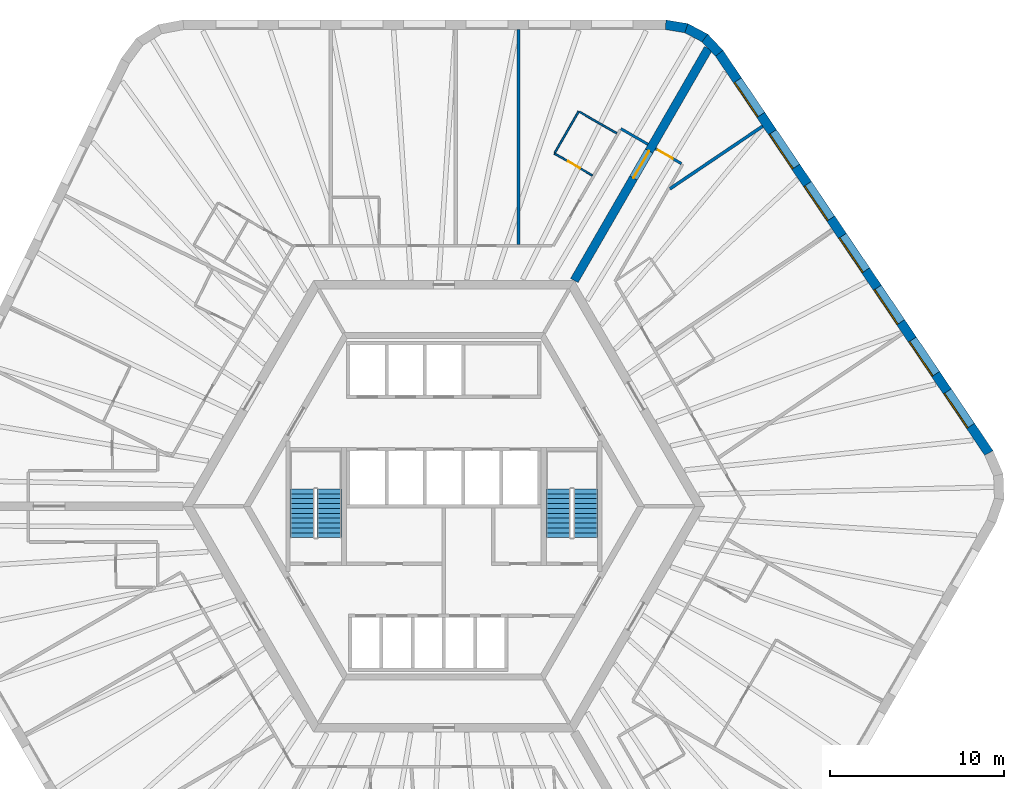
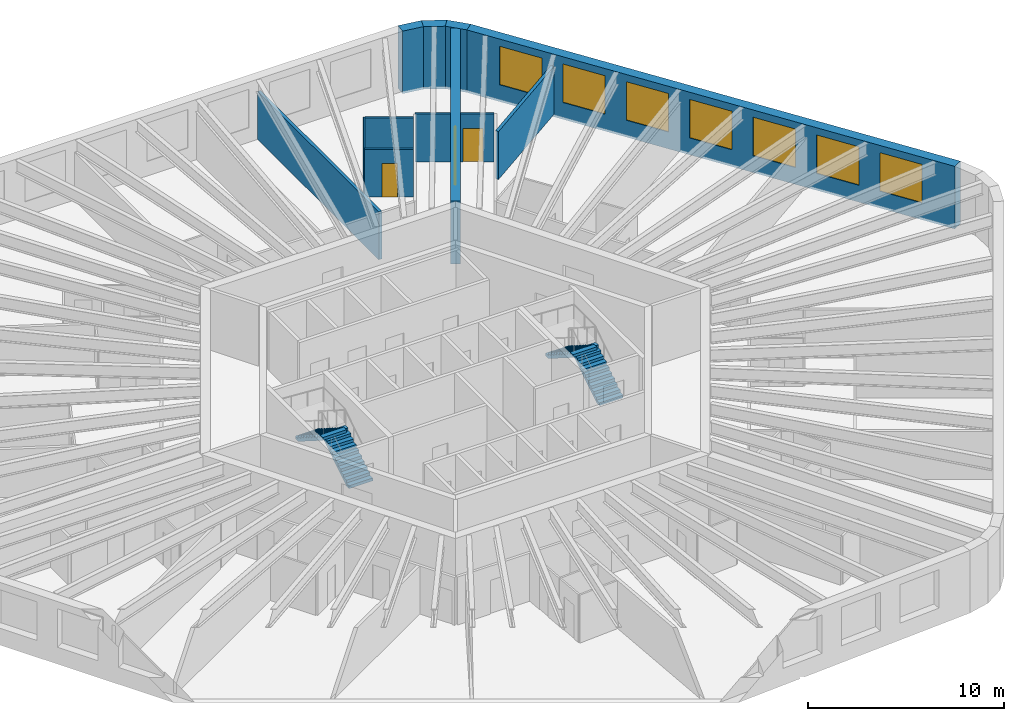
# One storey, part 9 of 10: 12 walls, 7 windows, 4 stair flights, 3 doors, 10 openings, 2 elements without a shape of their own.
"""IFC4 building model written with IfcOpenShell, lengths in metres."""

from ifc_helpers import new_model, si_unit, direction, frame, frame_2d, origin, place, context, subcontext, project, spatial, polyline, rectangle, outline, extrude, material, layer, layer_set, type_object, element, fill, aggregate, save


model = new_model("IFC4")

# Units and contexts
model_context = context("Model", 3, precision=1e-05, world=origin(), true_north=direction((0.0, 1.0)))
body_context = subcontext(model_context, "Body", "Model", "MODEL_VIEW")
ifc_project = project(units=[si_unit("LENGTHUNIT", "METRE"), si_unit("AREAUNIT", "SQUARE_METRE"), si_unit("VOLUMEUNIT", "CUBIC_METRE"), si_unit("PLANEANGLEUNIT", "RADIAN"), si_unit("MASSUNIT", "GRAM", prefix="KILO")], contexts=[model_context])

# Site, building, storey
site_placement = place(None, origin())
site = spatial("IfcSite", under=ifc_project, at=site_placement, CompositionType="ELEMENT")
building_placement = place(site_placement, origin())
building = spatial("IfcBuilding", under=site, at=building_placement, Name="Tarnside Tower", CompositionType="ELEMENT")
storey_placement = place(building_placement, frame((0.0, 0.0, 211.199951171875)))
storey = spatial("IfcBuildingStorey", under=building, at=storey_placement, Name="L50", CompositionType="ELEMENT", Elevation=211.199951171875)

# Wall, opening, door
ifc_material_1 = material(Name="Gypsum board partition on steel studs", Category="steel")
ifc_layer_1 = layer(ifc_material_1, 0.10009765625)
ifc_layer_set_1 = layer_set([ifc_layer_1], Name="Bathroom wall 100")
wall_type_1 = type_object("IfcWallType", Name="Bathroom wall 100", PredefinedType="PARTITIONING", material=ifc_layer_set_1)
wall_1_placement = place(storey_placement, frame((8.546142578125, 19.052490234375, 0.0), z_axis=(0.0, 0.0, 1.0), x_axis=(-0.866039067339, 0.499976333282, 0.0)))
wall_1 = element("IfcWall", 1, at=wall_1_placement, inside=storey, type_object=wall_type_1, Name="Bathroom wall 16051", PredefinedType="PARTITIONING", context=body_context, shape_type="SweptSolid", body=[
    extrude(rectangle(XDim=2.52490234375, YDim=0.10009765625, at=frame_2d((1.262451171875, 0.0))), origin(), (0.0, 0.0, 1.0), 2.98779296875),
])
opening_1_placement = place(wall_1_placement, frame((0.824951171875, 0.0, 0.0)))
opening_1 = element("IfcOpeningElement", 2, at=opening_1_placement, cuts=wall_1, Name="Opening D-B1", PredefinedType="OPENING", context=body_context, shape_type="SweptSolid", body=[
    extrude(rectangle(XDim=0.800048828125, YDim=2.10009765625, at=frame_2d((0.39990234375, 1.050048828125))), frame((0.0, 0.06005859375, 0.0), z_axis=(0.0, -1.0, 0.0), x_axis=(1.0, 0.0, 0.0)), (0.0, 0.0, 1.0), 0.1201171875),
])
ifc_material_2 = material(Name="Timber door leaf", Category="wood")
door_type_1 = type_object("IfcDoorType", Name="Bathroom door 800", OperationType="NOTDEFINED", PredefinedType="DOOR", material=ifc_material_2)
door_1_placement = place(opening_1_placement, origin())
door_1 = element("IfcDoor", 3, at=door_1_placement, inside=storey, type_object=door_type_1, Name="Bathroom door 16002", OperationType="SINGLE_SWING_RIGHT", OverallHeight=2.10009765625, OverallWidth=0.800048828125, PredefinedType="DOOR", context=body_context, shape_type="SweptSolid", body=[
    extrude(rectangle(XDim=0.800048828125, YDim=2.10009765625, at=frame_2d((0.39990234375, 1.050048828125))), frame((0.0, 0.02490234375, 0.0), z_axis=(0.0, -1.0, 0.0), x_axis=(1.0, 0.0, 0.0)), (0.0, 0.0, 1.0), 0.050048828125),
])
fill(opening_1, door_1)

# Walls
wall_2_placement = place(storey_placement, frame((6.384521484375, 20.358154296875, 0.0), z_axis=(0.0, 0.0, 1.0), x_axis=(0.499996545922, 0.866027397988, 0.0)))
element("IfcWall", 4, at=wall_2_placement, inside=storey, type_object=wall_type_1, Name="Bathroom wall 16052", PredefinedType="PARTITIONING", context=body_context, shape_type="SweptSolid", body=[
    extrude(rectangle(XDim=2.75, YDim=0.10009765625, at=frame_2d((1.375, 0.0))), origin(), (0.0, 0.0, 1.0), 2.98779296875),
])
wall_3_placement = place(storey_placement, frame((7.802734375, 22.71484375, 0.0), z_axis=(0.0, 0.0, 1.0), x_axis=(0.866006523861, -0.500032699561, 0.0)))
element("IfcWall", 5, at=wall_3_placement, inside=storey, type_object=wall_type_1, Name="Bathroom wall 16053", PredefinedType="PARTITIONING", context=body_context, shape_type="SweptSolid", body=[
    extrude(rectangle(XDim=2.474853515625, YDim=0.10009765625, at=frame_2d((1.2373046875, 0.0))), origin(), (0.0, 0.0, 1.0), 2.98779296875),
])

# Wall, opening, door
ifc_material_3 = material(Name="Concrete C70/85", Category="concrete")
ifc_layer_2 = layer(ifc_material_3, 0.5)
ifc_layer_set_2 = layer_set([ifc_layer_2], Name="Core wall Z2 500 C70/85")
wall_type_2 = type_object("IfcWallType", Name="Core wall Z2 500 C70/85", PredefinedType="SHEAR", material=ifc_layer_set_2)
wall_4_placement = place(storey_placement, frame((7.505615234375, 13.0, -0.14990234375), z_axis=(0.0, 0.0, 1.0), x_axis=(0.499988271576, 0.866032175087, 0.0)))
wall_4 = element("IfcWall", 6, at=wall_4_placement, inside=storey, type_object=wall_type_2, Name="L50 spine wall 1", PredefinedType="SHEAR", context=body_context, shape_type="SweptSolid", body=[
    extrude(rectangle(XDim=15.423583984375, YDim=0.5, at=frame_2d((7.7119140625, 0.0))), origin(), (0.0, 0.0, 1.0), 3.89990234375),
])
opening_2_placement = place(wall_4_placement, frame((6.811767578125, 0.0, 0.14990234375)))
opening_2 = element("IfcOpeningElement", 7, at=opening_2_placement, cuts=wall_4, Name="Opening CD-SPN", PredefinedType="OPENING", context=body_context, shape_type="SweptSolid", body=[
    extrude(rectangle(XDim=1.800048828125, YDim=2.39990234375, at=frame_2d((0.89990234375, 1.199951171875))), frame((0.0, 0.260009765625, 0.0), z_axis=(0.0, -1.0, 0.0), x_axis=(1.0, 0.0, 0.0)), (0.0, 0.0, 1.0), 0.52001953125),
])
ifc_material_4 = material(Name="Steel fire door", Category="steel")
door_type_2 = type_object("IfcDoorType", Name="Spine passage double door FD60 1800x2400", OperationType="NOTDEFINED", PredefinedType="DOOR", material=ifc_material_4)
door_2_placement = place(opening_2_placement, origin())
door_2 = element("IfcDoor", 8, at=door_2_placement, inside=storey, type_object=door_type_2, Name="L50 spine passage door 1", OperationType="DOUBLE_DOOR_SINGLE_SWING", OverallHeight=2.39990234375, OverallWidth=1.800048828125, PredefinedType="DOOR", context=body_context, shape_type="SweptSolid", body=[
    extrude(rectangle(XDim=1.800048828125, YDim=2.39990234375, at=frame_2d((0.89990234375, 1.199951171875))), frame((0.0, 0.02490234375, 0.0), z_axis=(0.0, -1.0, 0.0), x_axis=(1.0, 0.0, 0.0)), (0.0, 0.0, 1.0), 0.050048828125),
])
fill(opening_2, door_2)

# Wall
ifc_layer_3 = layer(ifc_material_1, 0.14990234375)
ifc_layer_set_3 = layer_set([ifc_layer_3], Name="Corridor wall 150 EI 60")
wall_type_3 = type_object("IfcWallType", Name="Corridor wall 150 EI 60", PredefinedType="PARTITIONING", material=ifc_layer_set_3)
wall_5_placement = place(storey_placement, frame((11.744873046875, 20.8427734375, 0.0), z_axis=(0.0, 0.0, 1.0), x_axis=(-0.865989075817, 0.500062916607, 0.0)))
element("IfcWall", 9, at=wall_5_placement, inside=storey, type_object=wall_type_3, Name="Corridor wall 16003", PredefinedType="PARTITIONING", context=body_context, shape_type="SweptSolid", body=[
    extrude(rectangle(XDim=1.800048828125, YDim=0.14990234375, at=frame_2d((0.89990234375, 0.0))), origin(), (0.0, 0.0, 1.0), 2.98779296875),
])

# Wall, opening, door
wall_6_placement = place(storey_placement, frame((13.671875, 19.73046875, 0.0), z_axis=(0.0, 0.0, 1.0), x_axis=(-0.866074815912, 0.499914405916, 0.0)))
wall_6 = element("IfcWall", 10, at=wall_6_placement, inside=storey, type_object=wall_type_3, Name="Corridor wall 16050", PredefinedType="PARTITIONING", context=body_context, shape_type="SweptSolid", body=[
    extrude(rectangle(XDim=1.724853515625, YDim=0.14990234375, at=frame_2d((0.8623046875, 0.0))), origin(), (0.0, 0.0, 1.0), 2.98779296875),
])
opening_3_placement = place(wall_6_placement, frame((0.574951171875, 0.0, 0.0)))
opening_3 = element("IfcOpeningElement", 11, at=opening_3_placement, cuts=wall_6, Name="Opening D-E1", PredefinedType="OPENING", context=body_context, shape_type="SweptSolid", body=[
    extrude(rectangle(XDim=1.0, YDim=2.10009765625, at=frame_2d((0.5, 1.050048828125))), frame((0.0, 0.0849609375, 0.0), z_axis=(0.0, -1.0, 0.0), x_axis=(1.0, 0.0, 0.0)), (0.0, 0.0, 1.0), 0.169921875),
])
door_type_3 = type_object("IfcDoorType", Name="Unit entrance door 1000 FD30S", OperationType="NOTDEFINED", PredefinedType="DOOR", material=ifc_material_2)
door_3_placement = place(opening_3_placement, origin())
door_3 = element("IfcDoor", 12, at=door_3_placement, inside=storey, type_object=door_type_3, Name="Unit door 16035", OperationType="SINGLE_SWING_LEFT", OverallHeight=2.10009765625, OverallWidth=1.0, PredefinedType="DOOR", context=body_context, shape_type="SweptSolid", body=[
    extrude(rectangle(XDim=1.0, YDim=2.10009765625, at=frame_2d((0.5, 1.050048828125))), frame((0.0, 0.02490234375, 0.0), z_axis=(0.0, -1.0, 0.0), x_axis=(1.0, 0.0, 0.0)), (0.0, 0.0, 1.0), 0.050048828125),
])
fill(opening_3, door_3)

# Walls
ifc_layer_4 = layer(ifc_material_1, 0.179931640625)
ifc_layer_set_4 = layer_set([ifc_layer_4], Name="Demising wall 180 EI 60")
wall_type_4 = type_object("IfcWallType", Name="Demising wall 180 EI 60", PredefinedType="PARTITIONING", material=ifc_layer_set_4)
wall_7_placement = place(storey_placement, frame((4.2822265625, 27.449951171875, 0.0), z_axis=(0.0, 0.0, 1.0), x_axis=(0.0, -1.0, 0.0)))
element("IfcWall", 13, at=wall_7_placement, inside=storey, type_object=wall_type_4, Name="Demising wall 16054", PredefinedType="PARTITIONING", context=body_context, shape_type="SweptSolid", body=[
    extrude(rectangle(XDim=12.375, YDim=0.179931640625, at=frame_2d((6.1875, 0.0))), origin(), (0.0, 0.0, 1.0), 2.98779296875),
])
wall_8_placement = place(storey_placement, frame((18.349609375, 21.88427734375, 0.0), z_axis=(0.0, 0.0, 1.0), x_axis=(-0.829047205772, -0.559178621374, 0.0)))
element("IfcWall", 14, at=wall_8_placement, inside=storey, type_object=wall_type_4, Name="Demising wall 16114", PredefinedType="PARTITIONING", context=body_context, shape_type="SweptSolid", body=[
    extrude(rectangle(XDim=6.442138671875, YDim=0.179931640625, at=frame_2d((3.22119140625, 0.0))), origin(), (0.0, 0.0, 1.0), 2.98779296875),
])

# Wall, openings, windows
ifc_material_5 = material(Name="Facing brick", Category="masonry")
ifc_layer_5 = layer(ifc_material_5, 0.10205078125)
ifc_material_6 = material(Name="Concrete C60/75 precast", Category="concrete")
ifc_layer_6 = layer(ifc_material_6, 0.347900390625)
ifc_material_7 = material(Name="Mineral wool insulation")
ifc_layer_7 = layer(ifc_material_7, 0.10009765625)
ifc_layer_set_5 = layer_set([ifc_layer_5, ifc_layer_6, ifc_layer_7], Name="Tube wall 550 brick faced")
wall_type_5 = type_object("IfcWallType", Name="Tube wall 550 brick faced", PredefinedType="SOLIDWALL", material=ifc_layer_set_5)
wall_9_placement = place(storey_placement, frame((31.37109375, 3.070556640625, -0.14990234375), z_axis=(0.0, 0.0, 1.0), x_axis=(-0.559189891278, 0.829039604297, 0.0)))
wall_9 = element("IfcWall", 15, at=wall_9_placement, inside=storey, type_object=wall_type_5, Name="Tube wall L50 F6 flush 20", PredefinedType="SOLIDWALL", context=body_context, shape_type="SweptSolid", body=[
    extrude(outline(polyline([(-0.025634765625, -0.27490234375), (27.780517578125, -0.27490234375), (27.735595703125, 0.27490234375), (0.025634765625, 0.27490234375), (-0.025634765625, -0.27490234375)])), origin(), (0.0, 0.0, 1.0), 3.89990234375),
])
opening_4_placement = place(wall_9_placement, frame((1.87890625, 0.0, 1.050048828125)))
opening_4 = element("IfcOpeningElement", 16, at=opening_4_placement, cuts=wall_9, Name="Opening WH", PredefinedType="OPENING", context=body_context, shape_type="SweptSolid", body=[
    extrude(rectangle(XDim=2.39990234375, YDim=2.39990234375, at=frame_2d((1.199951171875, 1.199951171875))), frame((0.0, 0.28515625, 0.0), z_axis=(0.0, -1.0, 0.0), x_axis=(1.0, 0.0, 0.0)), (0.0, 0.0, 1.0), 0.570068359375),
])
opening_5_placement = place(wall_9_placement, frame((5.47900390625, 0.0, 1.050048828125)))
opening_5 = element("IfcOpeningElement", 17, at=opening_5_placement, cuts=wall_9, Name="Opening WH", PredefinedType="OPENING", context=body_context, shape_type="SweptSolid", body=[
    extrude(rectangle(XDim=2.39990234375, YDim=2.39990234375, at=frame_2d((1.199951171875, 1.199951171875))), frame((0.0, 0.28515625, 0.0), z_axis=(0.0, -1.0, 0.0), x_axis=(1.0, 0.0, 0.0)), (0.0, 0.0, 1.0), 0.570068359375),
])
opening_6_placement = place(wall_9_placement, frame((9.078857421875, 0.0, 1.050048828125)))
opening_6 = element("IfcOpeningElement", 18, at=opening_6_placement, cuts=wall_9, Name="Opening WH", PredefinedType="OPENING", context=body_context, shape_type="SweptSolid", body=[
    extrude(rectangle(XDim=2.39990234375, YDim=2.39990234375, at=frame_2d((1.199951171875, 1.199951171875))), frame((0.0, 0.28515625, 0.0), z_axis=(0.0, -1.0, 0.0), x_axis=(1.0, 0.0, 0.0)), (0.0, 0.0, 1.0), 0.570068359375),
])
opening_7_placement = place(wall_9_placement, frame((12.678955078125, 0.0, 1.050048828125)))
opening_7 = element("IfcOpeningElement", 19, at=opening_7_placement, cuts=wall_9, Name="Opening WH", PredefinedType="OPENING", context=body_context, shape_type="SweptSolid", body=[
    extrude(rectangle(XDim=2.39990234375, YDim=2.39990234375, at=frame_2d((1.199951171875, 1.199951171875))), frame((0.0, 0.28515625, 0.0), z_axis=(0.0, -1.0, 0.0), x_axis=(1.0, 0.0, 0.0)), (0.0, 0.0, 1.0), 0.570068359375),
])
opening_8_placement = place(wall_9_placement, frame((16.27880859375, 0.0, 1.050048828125)))
opening_8 = element("IfcOpeningElement", 20, at=opening_8_placement, cuts=wall_9, Name="Opening WH", PredefinedType="OPENING", context=body_context, shape_type="SweptSolid", body=[
    extrude(rectangle(XDim=2.39990234375, YDim=2.39990234375, at=frame_2d((1.199951171875, 1.199951171875))), frame((0.0, 0.28515625, 0.0), z_axis=(0.0, -1.0, 0.0), x_axis=(1.0, 0.0, 0.0)), (0.0, 0.0, 1.0), 0.570068359375),
])
opening_9_placement = place(wall_9_placement, frame((19.87890625, 0.0, 1.050048828125)))
opening_9 = element("IfcOpeningElement", 21, at=opening_9_placement, cuts=wall_9, Name="Opening WH", PredefinedType="OPENING", context=body_context, shape_type="SweptSolid", body=[
    extrude(rectangle(XDim=2.39990234375, YDim=2.39990234375, at=frame_2d((1.199951171875, 1.199951171875))), frame((0.0, 0.28515625, 0.0), z_axis=(0.0, -1.0, 0.0), x_axis=(1.0, 0.0, 0.0)), (0.0, 0.0, 1.0), 0.570068359375),
])
opening_10_placement = place(wall_9_placement, frame((23.47900390625, 0.0, 1.050048828125)))
opening_10 = element("IfcOpeningElement", 22, at=opening_10_placement, cuts=wall_9, Name="Opening WH", PredefinedType="OPENING", context=body_context, shape_type="SweptSolid", body=[
    extrude(rectangle(XDim=2.39990234375, YDim=2.39990234375, at=frame_2d((1.199951171875, 1.199951171875))), frame((0.0, 0.28515625, 0.0), z_axis=(0.0, -1.0, 0.0), x_axis=(1.0, 0.0, 0.0)), (0.0, 0.0, 1.0), 0.570068359375),
])
ifc_material_8 = material(Name="Aluminium-framed double glazing", Category="aluminium")
window_type = type_object("IfcWindowType", Name="Hotel window 2400 x 2400", PartitioningType="DOUBLE_PANEL_VERTICAL", PredefinedType="WINDOW", material=ifc_material_8)
window_1_placement = place(opening_4_placement, frame((0.0, 0.205078125, 0.0)))
window_1 = element("IfcWindow", 23, at=window_1_placement, inside=storey, type_object=window_type, Name="E.WN.L50.F6.00", OverallHeight=2.39990234375, OverallWidth=2.39990234375, PartitioningType="DOUBLE_PANEL_VERTICAL", PredefinedType="WINDOW", context=body_context, shape_type="SweptSolid", body=[
    extrude(rectangle(XDim=2.39990234375, YDim=2.39990234375, at=frame_2d((1.199951171875, 1.199951171875))), frame((0.0, 0.030029296875, 0.0), z_axis=(0.0, -1.0, 0.0), x_axis=(1.0, 0.0, 0.0)), (0.0, 0.0, 1.0), 0.06005859375),
])
fill(opening_4, window_1)
window_2_placement = place(opening_5_placement, frame((0.0, 0.205078125, 0.0)))
window_2 = element("IfcWindow", 24, at=window_2_placement, inside=storey, type_object=window_type, Name="E.WN.L50.F6.01", OverallHeight=2.39990234375, OverallWidth=2.39990234375, PartitioningType="DOUBLE_PANEL_VERTICAL", PredefinedType="WINDOW", context=body_context, shape_type="SweptSolid", body=[
    extrude(rectangle(XDim=2.39990234375, YDim=2.39990234375, at=frame_2d((1.199951171875, 1.199951171875))), frame((0.0, 0.030029296875, 0.0), z_axis=(0.0, -1.0, 0.0), x_axis=(1.0, 0.0, 0.0)), (0.0, 0.0, 1.0), 0.06005859375),
])
fill(opening_5, window_2)
window_3_placement = place(opening_6_placement, frame((0.0, 0.205078125, 0.0)))
window_3 = element("IfcWindow", 25, at=window_3_placement, inside=storey, type_object=window_type, Name="E.WN.L50.F6.02", OverallHeight=2.39990234375, OverallWidth=2.39990234375, PartitioningType="DOUBLE_PANEL_VERTICAL", PredefinedType="WINDOW", context=body_context, shape_type="SweptSolid", body=[
    extrude(rectangle(XDim=2.39990234375, YDim=2.39990234375, at=frame_2d((1.199951171875, 1.199951171875))), frame((0.0, 0.030029296875, 0.0), z_axis=(0.0, -1.0, 0.0), x_axis=(1.0, 0.0, 0.0)), (0.0, 0.0, 1.0), 0.06005859375),
])
fill(opening_6, window_3)
window_4_placement = place(opening_7_placement, frame((0.0, 0.205078125, 0.0)))
window_4 = element("IfcWindow", 26, at=window_4_placement, inside=storey, type_object=window_type, Name="E.WN.L50.F6.03", OverallHeight=2.39990234375, OverallWidth=2.39990234375, PartitioningType="DOUBLE_PANEL_VERTICAL", PredefinedType="WINDOW", context=body_context, shape_type="SweptSolid", body=[
    extrude(rectangle(XDim=2.39990234375, YDim=2.39990234375, at=frame_2d((1.199951171875, 1.199951171875))), frame((0.0, 0.030029296875, 0.0), z_axis=(0.0, -1.0, 0.0), x_axis=(1.0, 0.0, 0.0)), (0.0, 0.0, 1.0), 0.06005859375),
])
fill(opening_7, window_4)
window_5_placement = place(opening_8_placement, frame((0.0, 0.205078125, 0.0)))
window_5 = element("IfcWindow", 27, at=window_5_placement, inside=storey, type_object=window_type, Name="E.WN.L50.F6.04", OverallHeight=2.39990234375, OverallWidth=2.39990234375, PartitioningType="DOUBLE_PANEL_VERTICAL", PredefinedType="WINDOW", context=body_context, shape_type="SweptSolid", body=[
    extrude(rectangle(XDim=2.39990234375, YDim=2.39990234375, at=frame_2d((1.199951171875, 1.199951171875))), frame((0.0, 0.030029296875, 0.0), z_axis=(0.0, -1.0, 0.0), x_axis=(1.0, 0.0, 0.0)), (0.0, 0.0, 1.0), 0.06005859375),
])
fill(opening_8, window_5)
window_6_placement = place(opening_9_placement, frame((0.0, 0.205078125, 0.0)))
window_6 = element("IfcWindow", 28, at=window_6_placement, inside=storey, type_object=window_type, Name="E.WN.L50.F6.05", OverallHeight=2.39990234375, OverallWidth=2.39990234375, PartitioningType="DOUBLE_PANEL_VERTICAL", PredefinedType="WINDOW", context=body_context, shape_type="SweptSolid", body=[
    extrude(rectangle(XDim=2.39990234375, YDim=2.39990234375, at=frame_2d((1.199951171875, 1.199951171875))), frame((0.0, 0.030029296875, 0.0), z_axis=(0.0, -1.0, 0.0), x_axis=(1.0, 0.0, 0.0)), (0.0, 0.0, 1.0), 0.06005859375),
])
fill(opening_9, window_6)
window_7_placement = place(opening_10_placement, frame((0.0, 0.205078125, 0.0)))
window_7 = element("IfcWindow", 29, at=window_7_placement, inside=storey, type_object=window_type, Name="E.WN.L50.F6.06", OverallHeight=2.39990234375, OverallWidth=2.39990234375, PartitioningType="DOUBLE_PANEL_VERTICAL", PredefinedType="WINDOW", context=body_context, shape_type="SweptSolid", body=[
    extrude(rectangle(XDim=2.39990234375, YDim=2.39990234375, at=frame_2d((1.199951171875, 1.199951171875))), frame((0.0, 0.030029296875, 0.0), z_axis=(0.0, -1.0, 0.0), x_axis=(1.0, 0.0, 0.0)), (0.0, 0.0, 1.0), 0.06005859375),
])
fill(opening_10, window_7)

# Walls
wall_10_placement = place(storey_placement, frame((15.84912109375, 26.0830078125, -0.14990234375), z_axis=(0.0, 0.0, 1.0), x_axis=(-0.686196220404, 0.727416488061, 0.0)))
element("IfcWall", 30, at=wall_10_placement, inside=storey, type_object=wall_type_5, Name="Tube wall L50 F6 chord 21", PredefinedType="SOLIDWALL", context=body_context, shape_type="SweptSolid", body=[
    extrude(outline(polyline([(-0.0224609375, -0.27490234375), (1.25341796875, -0.27490234375), (1.1630859375, 0.27490234375), (0.0224609375, 0.27490234375), (-0.0224609375, -0.27490234375)])), origin(), (0.0, 0.0, 1.0), 3.89990234375),
])
wall_11_placement = place(storey_placement, frame((15.02001953125, 26.9619140625, -0.14990234375), z_axis=(0.0, 0.0, 1.0), x_axis=(-0.882950818639, 0.469465495926, 0.0)))
element("IfcWall", 31, at=wall_11_placement, inside=storey, type_object=wall_type_5, Name="Tube wall L50 F6 chord 22", PredefinedType="SOLIDWALL", context=body_context, shape_type="SweptSolid", body=[
    extrude(outline(polyline([(-0.045166015625, -0.27490234375), (1.253173828125, -0.27490234375), (1.162841796875, 0.27490234375), (0.045166015625, 0.27490234375), (-0.045166015625, -0.27490234375)])), origin(), (0.0, 0.0, 1.0), 3.89990234375),
])
wall_12_placement = place(storey_placement, frame((13.953369140625, 27.529052734375, -0.14990234375), z_axis=(0.0, 0.0, 1.0), x_axis=(-0.986751945211, 0.162236243244, 0.0)))
element("IfcWall", 32, at=wall_12_placement, inside=storey, type_object=wall_type_5, Name="Tube wall L50 F6 chord 23", PredefinedType="SOLIDWALL", context=body_context, shape_type="SweptSolid", body=[
    extrude(outline(polyline([(-0.045166015625, -0.27490234375), (1.23095703125, -0.27490234375), (1.18603515625, 0.27490234375), (0.045166015625, 0.27490234375), (-0.045166015625, -0.27490234375)])), origin(), (0.0, 0.0, 1.0), 3.89990234375),
])

# Stair, stair flights
ifc_material_9 = material(Name="Concrete C40/50", Category="concrete")
stair_type = type_object("IfcStairType", Name="Exit stair 1400 clear", PredefinedType="HALF_TURN_STAIR", material=ifc_material_9)
stair_1_placement = place(storey_placement, origin())
stair_1 = element("IfcStair", 33, at=stair_1_placement, inside=storey, type_object=stair_type, Name="L50 Exit stair 1", PredefinedType="HALF_TURN_STAIR")
stair_flight_type = type_object("IfcStairFlightType", Name="Exit stair flight 1400", PredefinedType="STRAIGHT", material=ifc_material_9)
stair_flight_1_placement = place(storey_placement, frame((8.14990234375, -1.800048828125, 0.0), z_axis=(0.0, 0.0, 1.0), x_axis=(0.0, 1.0, 0.0)))
stair_flight_1 = element("IfcStairFlight", 34, at=stair_flight_1_placement, type_object=stair_flight_type, Name="ST1 flight 1", NumberOfRisers=11, NumberOfTreads=10, PredefinedType="STRAIGHT", RiserHeight=0.177272727, TreadLength=0.28, context=body_context, shape_type="SweptSolid", body=[
    extrude(outline(polyline([(0.0, 0.0), (0.0, 0.17724609375), (0.280029296875, 0.17724609375), (0.280029296875, 0.3544921875), (0.56005859375, 0.3544921875), (0.56005859375, 0.53173828125), (0.840087890625, 0.53173828125), (0.840087890625, 0.708984375), (1.1201171875, 0.708984375), (1.1201171875, 0.886474609375), (1.39990234375, 0.886474609375), (1.39990234375, 1.063720703125), (1.679931640625, 1.063720703125), (1.679931640625, 1.240966796875), (1.9599609375, 1.240966796875), (1.9599609375, 1.418212890625), (2.239990234375, 1.418212890625), (2.239990234375, 1.595458984375), (2.52001953125, 1.595458984375), (2.52001953125, 1.772705078125), (2.800048828125, 1.772705078125), (2.800048828125, 1.949951171875), (2.800048828125, 1.59521484375), (0.2802734375, 0.0), (0.0, 0.0)])), frame((0.0, 0.699951171875, 0.0), z_axis=(0.0, -1.0, 0.0), x_axis=(1.0, 0.0, 0.0)), (0.0, 0.0, 1.0), 1.39990234375),
])
stair_flight_2_placement = place(storey_placement, frame((6.60009765625, 1.0, 1.949951171875), z_axis=(0.0, 0.0, 1.0), x_axis=(0.0, -1.0, 0.0)))
stair_flight_2 = element("IfcStairFlight", 35, at=stair_flight_2_placement, type_object=stair_flight_type, Name="ST1 flight 2", NumberOfRisers=11, NumberOfTreads=10, PredefinedType="STRAIGHT", RiserHeight=0.177272727, TreadLength=0.28, context=body_context, shape_type="SweptSolid", body=[
    extrude(outline(polyline([(0.0, 0.0), (0.0, 0.17724609375), (0.280029296875, 0.17724609375), (0.280029296875, 0.3544921875), (0.56005859375, 0.3544921875), (0.56005859375, 0.53173828125), (0.840087890625, 0.53173828125), (0.840087890625, 0.708984375), (1.1201171875, 0.708984375), (1.1201171875, 0.886474609375), (1.39990234375, 0.886474609375), (1.39990234375, 1.063720703125), (1.679931640625, 1.063720703125), (1.679931640625, 1.240966796875), (1.9599609375, 1.240966796875), (1.9599609375, 1.418212890625), (2.239990234375, 1.418212890625), (2.239990234375, 1.595458984375), (2.52001953125, 1.595458984375), (2.52001953125, 1.772705078125), (2.800048828125, 1.772705078125), (2.800048828125, 1.949951171875), (2.800048828125, 1.59521484375), (0.2802734375, 0.0), (0.0, 0.0)])), frame((0.0, 0.699951171875, 0.0), z_axis=(0.0, -1.0, 0.0), x_axis=(1.0, 0.0, 0.0)), (0.0, 0.0, 1.0), 1.39990234375),
])
aggregate(stair_1, [stair_flight_1, stair_flight_2])

stair_2_placement = place(storey_placement, origin())
stair_2 = element("IfcStair", 36, at=stair_2_placement, inside=storey, type_object=stair_type, Name="L50 Exit stair 2", PredefinedType="HALF_TURN_STAIR")
stair_flight_3_placement = place(storey_placement, frame((-6.60009765625, -1.800048828125, 0.0), z_axis=(0.0, 0.0, 1.0), x_axis=(0.0, 1.0, 0.0)))
stair_flight_3 = element("IfcStairFlight", 37, at=stair_flight_3_placement, type_object=stair_flight_type, Name="ST2 flight 1", NumberOfRisers=11, NumberOfTreads=10, PredefinedType="STRAIGHT", RiserHeight=0.177272727, TreadLength=0.28, context=body_context, shape_type="SweptSolid", body=[
    extrude(outline(polyline([(0.0, 0.0), (0.0, 0.17724609375), (0.280029296875, 0.17724609375), (0.280029296875, 0.3544921875), (0.56005859375, 0.3544921875), (0.56005859375, 0.53173828125), (0.840087890625, 0.53173828125), (0.840087890625, 0.708984375), (1.1201171875, 0.708984375), (1.1201171875, 0.886474609375), (1.39990234375, 0.886474609375), (1.39990234375, 1.063720703125), (1.679931640625, 1.063720703125), (1.679931640625, 1.240966796875), (1.9599609375, 1.240966796875), (1.9599609375, 1.418212890625), (2.239990234375, 1.418212890625), (2.239990234375, 1.595458984375), (2.52001953125, 1.595458984375), (2.52001953125, 1.772705078125), (2.800048828125, 1.772705078125), (2.800048828125, 1.949951171875), (2.800048828125, 1.59521484375), (0.2802734375, 0.0), (0.0, 0.0)])), frame((0.0, 0.699951171875, 0.0), z_axis=(0.0, -1.0, 0.0), x_axis=(1.0, 0.0, 0.0)), (0.0, 0.0, 1.0), 1.39990234375),
])
stair_flight_4_placement = place(storey_placement, frame((-8.14990234375, 1.0, 1.949951171875), z_axis=(0.0, 0.0, 1.0), x_axis=(0.0, -1.0, 0.0)))
stair_flight_4 = element("IfcStairFlight", 38, at=stair_flight_4_placement, type_object=stair_flight_type, Name="ST2 flight 2", NumberOfRisers=11, NumberOfTreads=10, PredefinedType="STRAIGHT", RiserHeight=0.177272727, TreadLength=0.28, context=body_context, shape_type="SweptSolid", body=[
    extrude(outline(polyline([(0.0, 0.0), (0.0, 0.17724609375), (0.280029296875, 0.17724609375), (0.280029296875, 0.3544921875), (0.56005859375, 0.3544921875), (0.56005859375, 0.53173828125), (0.840087890625, 0.53173828125), (0.840087890625, 0.708984375), (1.1201171875, 0.708984375), (1.1201171875, 0.886474609375), (1.39990234375, 0.886474609375), (1.39990234375, 1.063720703125), (1.679931640625, 1.063720703125), (1.679931640625, 1.240966796875), (1.9599609375, 1.240966796875), (1.9599609375, 1.418212890625), (2.239990234375, 1.418212890625), (2.239990234375, 1.595458984375), (2.52001953125, 1.595458984375), (2.52001953125, 1.772705078125), (2.800048828125, 1.772705078125), (2.800048828125, 1.949951171875), (2.800048828125, 1.59521484375), (0.2802734375, 0.0), (0.0, 0.0)])), frame((0.0, 0.699951171875, 0.0), z_axis=(0.0, -1.0, 0.0), x_axis=(1.0, 0.0, 0.0)), (0.0, 0.0, 1.0), 1.39990234375),
])
aggregate(stair_2, [stair_flight_3, stair_flight_4])

save(model, "model.ifc")
